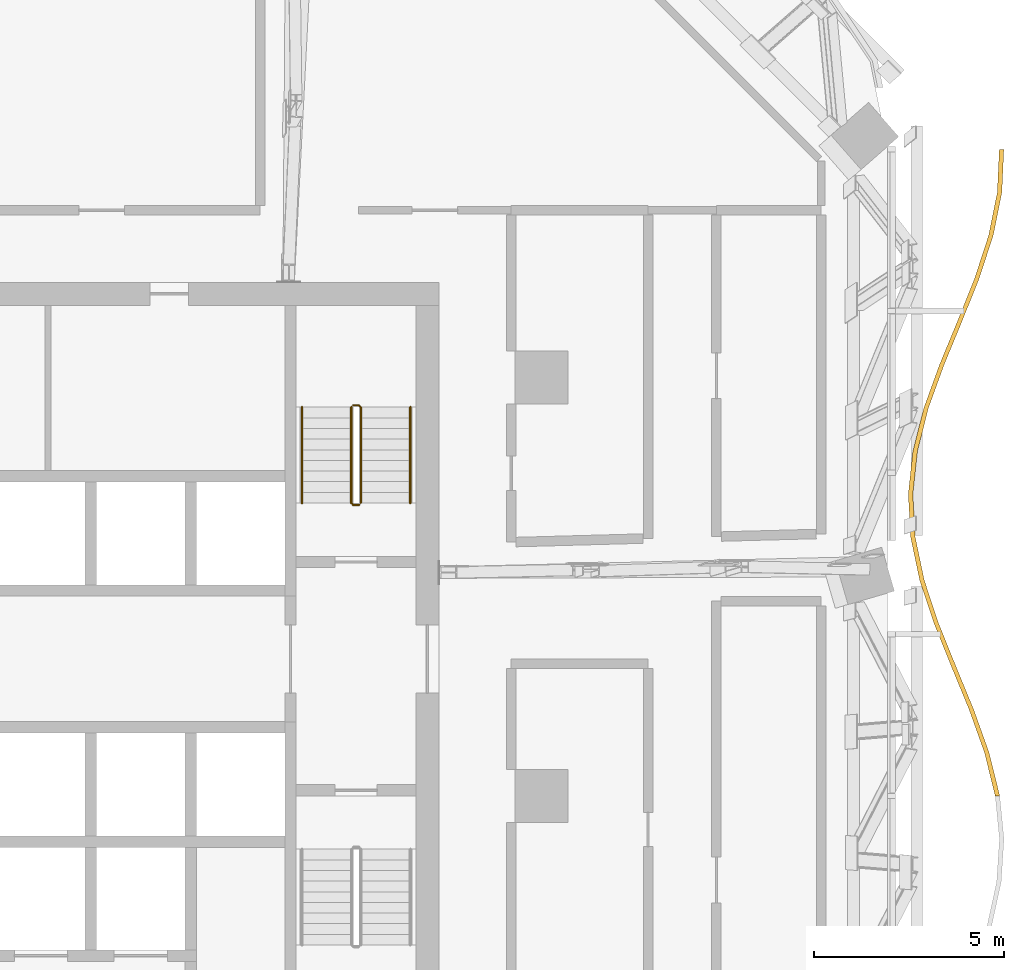
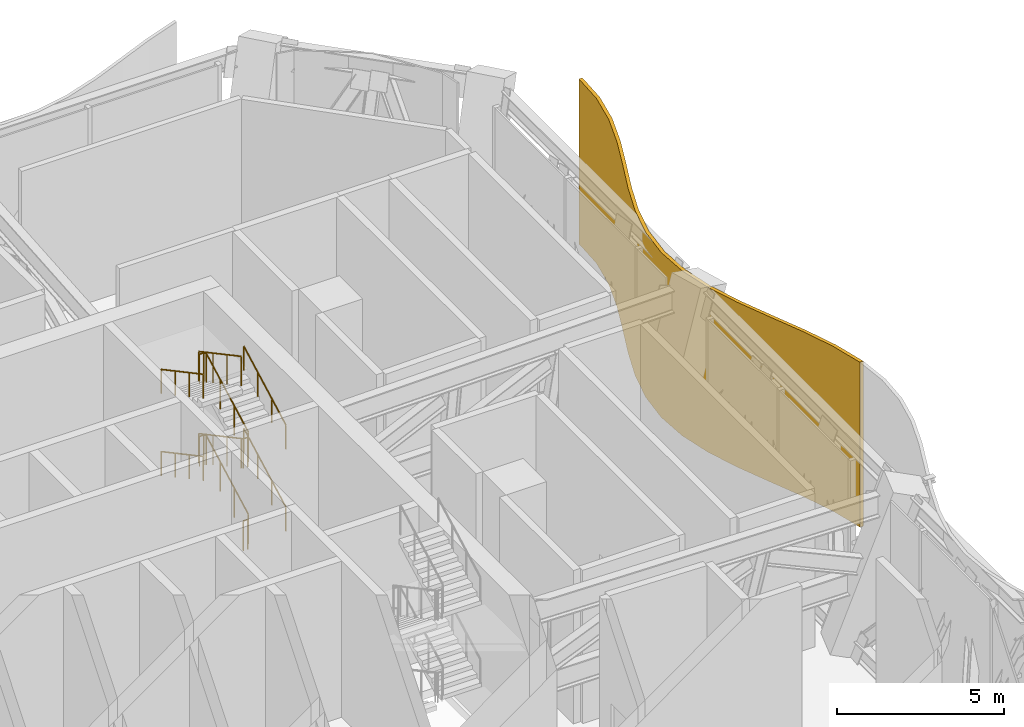
# One storey, part 25 of 26: 9 railings, 1 shading device.
"""IFC4 building model written with IfcOpenShell, lengths in metres."""

from ifc_helpers import new_model, si_unit, direction, frame, origin, origin_2d, place, context, subcontext, project, spatial, polyline, circle, outline, extrude, material, layer, layer_set, type_object, element, save


model = new_model("IFC4")

# Units and contexts
model_context = context("Model", 3, precision=1e-05, world=origin(), true_north=direction((0.0, 1.0)))
body_context = subcontext(model_context, "Body", "Model", "MODEL_VIEW")
ifc_project = project(units=[si_unit("LENGTHUNIT", "METRE"), si_unit("AREAUNIT", "SQUARE_METRE"), si_unit("VOLUMEUNIT", "CUBIC_METRE"), si_unit("PLANEANGLEUNIT", "RADIAN"), si_unit("MASSUNIT", "GRAM", prefix="KILO")], contexts=[model_context])

# Site, building, storey
site_placement = place(None, origin())
site = spatial("IfcSite", under=ifc_project, at=site_placement, CompositionType="ELEMENT")
building_placement = place(site_placement, origin())
building = spatial("IfcBuilding", under=site, at=building_placement, Name="Mopane Tessera Tower", CompositionType="ELEMENT")
storey_placement = place(building_placement, frame((0.0, 0.0, 205.0)))
storey = spatial("IfcBuildingStorey", under=building, at=storey_placement, Name="L43", CompositionType="ELEMENT", Elevation=205.0)

# Railings
ifc_material_1 = material(Name="Powder-coated steel balustrade", Category="steel")
railing_type_1 = type_object("IfcRailingType", Name="Escape stair guard 1100 mm", PredefinedType="GUARDRAIL", material=ifc_material_1)
railing_1_placement = place(storey_placement, frame((12.35009765625, 7.699951171875, 0.14990234375)))
element("IfcRailing", 1, at=railing_1_placement, inside=storey, type_object=railing_type_1, Name="L43 ST4 stair guard 1", PredefinedType="GUARDRAIL", context=body_context, shape_type="SweptSolid", body=[
    extrude(circle(Radius=0.02392578125, at=origin_2d()), frame((0.0, 0.0, 1.076171875), z_axis=(0.0, 0.881467274426, 0.472245110209), x_axis=(-1.0, 0.0, 0.0)), (0.0, 0.0, 1.0), 2.85888671875),
    extrude(circle(Radius=0.02392578125, at=origin_2d()), frame((0.0, 2.52001953125, 2.42626953125), z_axis=(-0.707106781187, 0.707106781187, 0.0), x_axis=(-0.707106781187, -0.707106781187, 0.0)), (0.0, 0.0, 1.0), 0.07080078125),
    extrude(circle(Radius=0.02392578125, at=origin_2d()), frame((-0.050048828125, 2.570068359375, 2.42626953125), z_axis=(-1.0, 0.0, 0.0), x_axis=(0.0, -1.0, 0.0)), (0.0, 0.0, 1.0), 0.150146484375),
    extrude(circle(Radius=0.02099609375, at=origin_2d()), origin(), (0.0, 0.0, 1.0), 1.052001953125),
    extrude(circle(Radius=0.02099609375, at=origin_2d()), frame((0.0, 0.840087890625, 0.449951171875)), (0.0, 0.0, 1.0), 1.052001953125),
    extrude(circle(Radius=0.02099609375, at=origin_2d()), frame((0.0, 1.679931640625, 0.900146484375)), (0.0, 0.0, 1.0), 1.052001953125),
    extrude(circle(Radius=0.02099609375, at=origin_2d()), frame((0.0, 2.52001953125, 1.35009765625)), (0.0, 0.0, 1.0), 1.052001953125),
    extrude(circle(Radius=0.02099609375, at=origin_2d()), frame((-0.050048828125, 2.570068359375, 1.35009765625)), (0.0, 0.0, 1.0), 1.052001953125),
    extrude(circle(Radius=0.02099609375, at=origin_2d()), frame((-0.2001953125, 2.570068359375, 1.35009765625)), (0.0, 0.0, 1.0), 1.052001953125),
])
railing_2_placement = place(storey_placement, frame((12.10009765625, 10.219970703125, 1.64990234375)))
element("IfcRailing", 2, at=railing_2_placement, inside=storey, type_object=railing_type_1, Name="L43 ST4 stair guard 2", PredefinedType="GUARDRAIL", context=body_context, shape_type="SweptSolid", body=[
    extrude(circle(Radius=0.02392578125, at=origin_2d()), frame((0.0, 0.0, 1.076171875), z_axis=(0.0, -0.881467274426, 0.472245110209), x_axis=(1.0, 0.0, 0.0)), (0.0, 0.0, 1.0), 2.85888671875),
    extrude(circle(Radius=0.02392578125, at=origin_2d()), frame((0.0, -2.52001953125, 2.42626953125), z_axis=(0.705375805398, -0.708833529934, 0.0), x_axis=(0.708833529934, 0.705375805398, 0.0)), (0.0, 0.0, 1.0), 0.070556640625),
    extrude(circle(Radius=0.02392578125, at=origin_2d()), frame((0.0498046875, -2.570068359375, 2.42626953125), z_axis=(1.0, 0.0, 0.0), x_axis=(0.0, 1.0, 0.0)), (0.0, 0.0, 1.0), 0.150146484375),
    extrude(circle(Radius=0.02099609375, at=origin_2d()), origin(), (0.0, 0.0, 1.0), 1.052001953125),
    extrude(circle(Radius=0.02099609375, at=origin_2d()), frame((0.0, -0.840087890625, 0.449951171875)), (0.0, 0.0, 1.0), 1.052001953125),
    extrude(circle(Radius=0.02099609375, at=origin_2d()), frame((0.0, -1.679931640625, 0.900146484375)), (0.0, 0.0, 1.0), 1.052001953125),
    extrude(circle(Radius=0.02099609375, at=origin_2d()), frame((0.0, -2.52001953125, 1.35009765625)), (0.0, 0.0, 1.0), 1.052001953125),
    extrude(circle(Radius=0.02099609375, at=origin_2d()), frame((0.0498046875, -2.570068359375, 1.35009765625)), (0.0, 0.0, 1.0), 1.052001953125),
    extrude(circle(Radius=0.02099609375, at=origin_2d()), frame((0.199951171875, -2.570068359375, 1.35009765625)), (0.0, 0.0, 1.0), 1.052001953125),
])
railing_3_placement = place(storey_placement, frame((12.35009765625, 7.699951171875, 3.14990234375)))
element("IfcRailing", 3, at=railing_3_placement, inside=storey, type_object=railing_type_1, Name="L43 ST4 stair guard 3", PredefinedType="GUARDRAIL", context=body_context, shape_type="SweptSolid", body=[
    extrude(circle(Radius=0.02392578125, at=origin_2d()), frame((0.0, 0.0, 1.076171875), z_axis=(0.0, 0.881467274426, 0.472245110209), x_axis=(-1.0, 0.0, 0.0)), (0.0, 0.0, 1.0), 2.85888671875),
    extrude(circle(Radius=0.02392578125, at=origin_2d()), frame((0.0, 2.52001953125, 2.42626953125), z_axis=(-0.707106781187, 0.707106781187, 0.0), x_axis=(-0.707106781187, -0.707106781187, 0.0)), (0.0, 0.0, 1.0), 0.07080078125),
    extrude(circle(Radius=0.02392578125, at=origin_2d()), frame((-0.050048828125, 2.570068359375, 2.42626953125), z_axis=(-1.0, 0.0, 0.0), x_axis=(0.0, -1.0, 0.0)), (0.0, 0.0, 1.0), 0.150146484375),
    extrude(circle(Radius=0.02099609375, at=origin_2d()), origin(), (0.0, 0.0, 1.0), 1.052001953125),
    extrude(circle(Radius=0.02099609375, at=origin_2d()), frame((0.0, 0.840087890625, 0.449951171875)), (0.0, 0.0, 1.0), 1.052001953125),
    extrude(circle(Radius=0.02099609375, at=origin_2d()), frame((0.0, 1.679931640625, 0.900146484375)), (0.0, 0.0, 1.0), 1.052001953125),
    extrude(circle(Radius=0.02099609375, at=origin_2d()), frame((0.0, 2.52001953125, 1.35009765625)), (0.0, 0.0, 1.0), 1.052001953125),
    extrude(circle(Radius=0.02099609375, at=origin_2d()), frame((-0.050048828125, 2.570068359375, 1.35009765625)), (0.0, 0.0, 1.0), 1.052001953125),
    extrude(circle(Radius=0.02099609375, at=origin_2d()), frame((-0.2001953125, 2.570068359375, 1.35009765625)), (0.0, 0.0, 1.0), 1.052001953125),
])
railing_4_placement = place(storey_placement, frame((12.10009765625, 10.219970703125, 4.64990234375)))
element("IfcRailing", 4, at=railing_4_placement, inside=storey, type_object=railing_type_1, Name="L43 ST4 stair guard 4", PredefinedType="GUARDRAIL", context=body_context, shape_type="SweptSolid", body=[
    extrude(circle(Radius=0.02392578125, at=origin_2d()), frame((0.0, 0.0, 1.076171875), z_axis=(0.0, -0.881467274426, 0.472245110209), x_axis=(1.0, 0.0, 0.0)), (0.0, 0.0, 1.0), 2.85888671875),
    extrude(circle(Radius=0.02099609375, at=origin_2d()), origin(), (0.0, 0.0, 1.0), 1.052001953125),
    extrude(circle(Radius=0.02099609375, at=origin_2d()), frame((0.0, -0.840087890625, 0.449951171875)), (0.0, 0.0, 1.0), 1.052001953125),
    extrude(circle(Radius=0.02099609375, at=origin_2d()), frame((0.0, -1.679931640625, 0.900146484375)), (0.0, 0.0, 1.0), 1.052001953125),
    extrude(circle(Radius=0.02099609375, at=origin_2d()), frame((0.0, -2.52001953125, 1.35009765625)), (0.0, 0.0, 1.0), 1.052001953125),
])
railing_5_placement = place(storey_placement, frame((12.300048828125, 7.64990234375, 0.0)))
element("IfcRailing", 5, at=railing_5_placement, inside=storey, type_object=railing_type_1, Name="L43 ST4 stair guard 5", PredefinedType="GUARDRAIL", context=body_context, shape_type="SweptSolid", body=[
    extrude(circle(Radius=0.02392578125, at=origin_2d()), frame((0.0, 0.0, 1.076171875), z_axis=(-1.0, 0.0, 0.0), x_axis=(0.0, -1.0, 0.0)), (0.0, 0.0, 1.0), 0.150146484375),
    extrude(circle(Radius=0.02099609375, at=origin_2d()), origin(), (0.0, 0.0, 1.0), 1.052001953125),
    extrude(circle(Radius=0.02099609375, at=origin_2d()), frame((-0.150146484375, 0.0, 0.0)), (0.0, 0.0, 1.0), 1.052001953125),
])
ifc_material_2 = material(Name="Powder-coated steel balustrade", Category="steel")
railing_type_2 = type_object("IfcRailingType", Name="Escape stair handrail 900 mm", PredefinedType="HANDRAIL", material=ifc_material_2)
railing_6_placement = place(storey_placement, frame((13.64990234375, 7.699951171875, 0.14990234375)))
element("IfcRailing", 6, at=railing_6_placement, inside=storey, type_object=railing_type_2, Name="L43 ST4 stair handrail 1", PredefinedType="HANDRAIL", context=body_context, shape_type="SweptSolid", body=[
    extrude(circle(Radius=0.02392578125, at=origin_2d()), frame((0.0, 0.0, 0.8759765625), z_axis=(0.0, 0.881467274426, 0.472245110209), x_axis=(-1.0, 0.0, 0.0)), (0.0, 0.0, 1.0), 2.85888671875),
    extrude(circle(Radius=0.02099609375, at=origin_2d()), origin(), (0.0, 0.0, 1.0), 0.851806640625),
    extrude(circle(Radius=0.02099609375, at=origin_2d()), frame((0.0, 0.840087890625, 0.449951171875)), (0.0, 0.0, 1.0), 0.851806640625),
    extrude(circle(Radius=0.02099609375, at=origin_2d()), frame((0.0, 1.679931640625, 0.900146484375)), (0.0, 0.0, 1.0), 0.851806640625),
    extrude(circle(Radius=0.02099609375, at=origin_2d()), frame((0.0, 2.52001953125, 1.35009765625)), (0.0, 0.0, 1.0), 0.851806640625),
])
railing_7_placement = place(storey_placement, frame((10.800048828125, 10.219970703125, 1.64990234375)))
element("IfcRailing", 7, at=railing_7_placement, inside=storey, type_object=railing_type_2, Name="L43 ST4 stair handrail 2", PredefinedType="HANDRAIL", context=body_context, shape_type="SweptSolid", body=[
    extrude(circle(Radius=0.02392578125, at=origin_2d()), frame((0.0, 0.0, 0.8759765625), z_axis=(0.0, -0.881467274426, 0.472245110209), x_axis=(1.0, 0.0, 0.0)), (0.0, 0.0, 1.0), 2.85888671875),
    extrude(circle(Radius=0.02099609375, at=origin_2d()), origin(), (0.0, 0.0, 1.0), 0.851806640625),
    extrude(circle(Radius=0.02099609375, at=origin_2d()), frame((0.0, -0.840087890625, 0.449951171875)), (0.0, 0.0, 1.0), 0.851806640625),
    extrude(circle(Radius=0.02099609375, at=origin_2d()), frame((0.0, -1.679931640625, 0.900146484375)), (0.0, 0.0, 1.0), 0.851806640625),
    extrude(circle(Radius=0.02099609375, at=origin_2d()), frame((0.0, -2.52001953125, 1.35009765625)), (0.0, 0.0, 1.0), 0.851806640625),
])
railing_8_placement = place(storey_placement, frame((13.64990234375, 7.699951171875, 3.14990234375)))
element("IfcRailing", 8, at=railing_8_placement, inside=storey, type_object=railing_type_2, Name="L43 ST4 stair handrail 3", PredefinedType="HANDRAIL", context=body_context, shape_type="SweptSolid", body=[
    extrude(circle(Radius=0.02392578125, at=origin_2d()), frame((0.0, 0.0, 0.8759765625), z_axis=(0.0, 0.881467274426, 0.472245110209), x_axis=(-1.0, 0.0, 0.0)), (0.0, 0.0, 1.0), 2.85888671875),
    extrude(circle(Radius=0.02099609375, at=origin_2d()), origin(), (0.0, 0.0, 1.0), 0.851806640625),
    extrude(circle(Radius=0.02099609375, at=origin_2d()), frame((0.0, 0.840087890625, 0.449951171875)), (0.0, 0.0, 1.0), 0.851806640625),
    extrude(circle(Radius=0.02099609375, at=origin_2d()), frame((0.0, 1.679931640625, 0.900146484375)), (0.0, 0.0, 1.0), 0.851806640625),
    extrude(circle(Radius=0.02099609375, at=origin_2d()), frame((0.0, 2.52001953125, 1.35009765625)), (0.0, 0.0, 1.0), 0.851806640625),
])
railing_9_placement = place(storey_placement, frame((10.800048828125, 10.219970703125, 4.64990234375)))
element("IfcRailing", 9, at=railing_9_placement, inside=storey, type_object=railing_type_2, Name="L43 ST4 stair handrail 4", PredefinedType="HANDRAIL", context=body_context, shape_type="SweptSolid", body=[
    extrude(circle(Radius=0.02392578125, at=origin_2d()), frame((0.0, 0.0, 0.8759765625), z_axis=(0.0, -0.881467274426, 0.472245110209), x_axis=(1.0, 0.0, 0.0)), (0.0, 0.0, 1.0), 2.85888671875),
    extrude(circle(Radius=0.02099609375, at=origin_2d()), origin(), (0.0, 0.0, 1.0), 0.851806640625),
    extrude(circle(Radius=0.02099609375, at=origin_2d()), frame((0.0, -0.840087890625, 0.449951171875)), (0.0, 0.0, 1.0), 0.851806640625),
    extrude(circle(Radius=0.02099609375, at=origin_2d()), frame((0.0, -1.679931640625, 0.900146484375)), (0.0, 0.0, 1.0), 0.851806640625),
    extrude(circle(Radius=0.02099609375, at=origin_2d()), frame((0.0, -2.52001953125, 1.35009765625)), (0.0, 0.0, 1.0), 0.851806640625),
])

# Shading device
ifc_material_3 = material(Name="Anodised aluminium louvre blades", Category="aluminium")
ifc_layer = layer(ifc_material_3, 0.1201171875)
ifc_layer_set = layer_set([ifc_layer], Name="Anodised aluminium louvre blades")
shading_device_type = type_object("IfcShadingDeviceType", Name="Wave louvre screen", PredefinedType="JALOUSIE", material=ifc_layer_set)
shading_device_placement = place(storey_placement, frame((0.0, 0.0, -0.419921875)))
element("IfcShadingDevice", 10, at=shading_device_placement, inside=storey, type_object=shading_device_type, Name="e:lv:L43:E:1", PredefinedType="JALOUSIE", context=body_context, shape_type="SweptSolid", body=[
    extrude(outline(polyline([(29.027587890625, 0.0), (28.748046875, 1.13330078125), (28.34375, 2.2666015625), (27.877197265625, 3.39990234375), (27.420166015625, 4.533447265625), (27.04345703125, 5.666748046875), (26.805419921875, 6.800048828125), (26.742431640625, 7.933349609375), (26.864501953125, 9.066650390625), (27.15283203125, 10.199951171875), (27.5625, 11.333251953125), (28.03076171875, 12.466552734375), (28.48486328125, 13.60009765625), (28.854736328125, 14.7333984375), (29.08349609375, 15.86669921875), (29.135498046875, 17.0), (29.25537109375, 17.0), (29.203369140625, 15.86669921875), (28.974853515625, 14.7333984375), (28.604736328125, 13.60009765625), (28.150634765625, 12.466552734375), (27.6826171875, 11.333251953125), (27.272705078125, 10.199951171875), (26.984619140625, 9.066650390625), (26.862548828125, 7.933349609375), (26.92529296875, 6.800048828125), (27.16357421875, 5.666748046875), (27.540283203125, 4.533447265625), (27.997314453125, 3.39990234375), (28.4638671875, 2.2666015625), (28.8681640625, 1.13330078125), (29.1474609375, 0.0), (29.027587890625, 0.0)])), origin(), (0.0, 0.0, 1.0), 6.02001953125),
])

save(model, "model.ifc")
